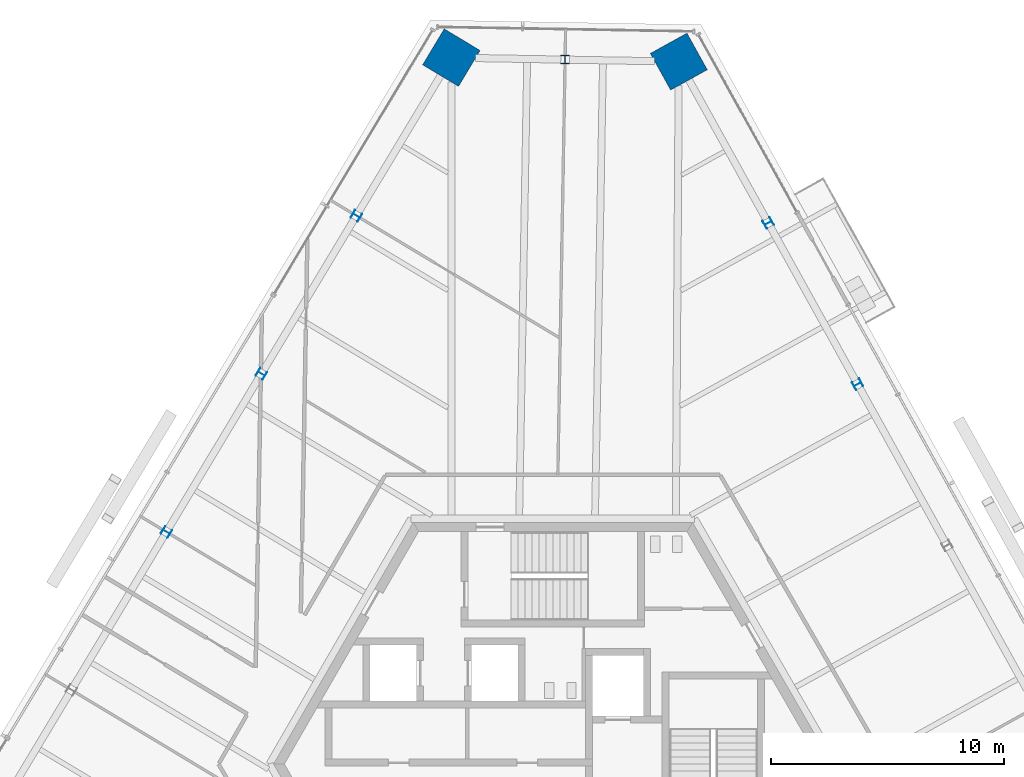
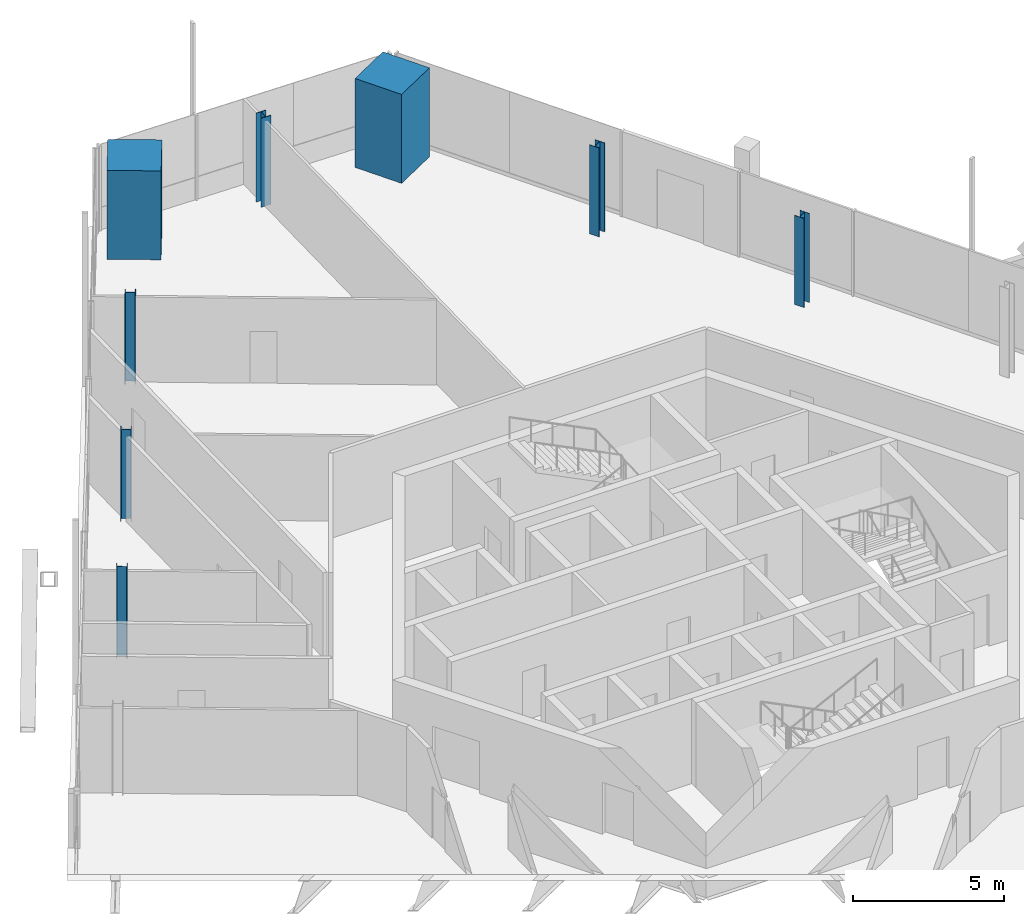
# One storey, part 3 of 20: 8 columns.
"""IFC4 building model written with IfcOpenShell, lengths in metres."""

from ifc_helpers import new_model, si_unit, direction, frame, origin, origin_2d, place, context, subcontext, project, spatial, rectangle, i_section, extrude, source, transform, mapped, material, material_profile, profile_set, type_object, element, save


model = new_model("IFC4")

# Units and contexts
model_context = context("Model", 3, precision=1e-05, world=origin(), true_north=direction((0.0, 1.0)))
body_context = subcontext(model_context, "Body", "Model", "MODEL_VIEW")
ifc_project = project(units=[si_unit("LENGTHUNIT", "METRE"), si_unit("AREAUNIT", "SQUARE_METRE"), si_unit("VOLUMEUNIT", "CUBIC_METRE"), si_unit("PLANEANGLEUNIT", "RADIAN"), si_unit("MASSUNIT", "GRAM", prefix="KILO")], contexts=[model_context])

# Site, building, storey
site_placement = place(None, origin())
site = spatial("IfcSite", under=ifc_project, at=site_placement, CompositionType="ELEMENT")
building_placement = place(site_placement, origin())
building = spatial("IfcBuilding", under=site, at=building_placement, Name="Triune Harvest Tower", CompositionType="ELEMENT")
storey_placement = place(building_placement, frame((0.0, 0.0, 194.300048828125)))
storey = spatial("IfcBuildingStorey", under=building, at=storey_placement, Name="L50", CompositionType="ELEMENT", Elevation=194.300048828125)

# Columns
ifc_material_1 = material(Name="Concrete 70 MPa", Category="concrete")
ifc_material_profile_1 = material_profile(ifc_material_1, rectangle(XDim=1.800048828125, YDim=1.800048828125, at=origin_2d()), Name="Composite 1800x1800")
ifc_profile_set_1 = profile_set([ifc_material_profile_1], Name="Concrete 70 MPa")
column_type_1 = type_object("IfcColumnType", Name="MC-5 Mega column Composite 1800x1800", PredefinedType="COLUMN", material=ifc_profile_set_1)
shared_shape_1 = source(origin(), body_context, "Body", "SweptSolid", [
    extrude(rectangle(XDim=1.800048828125, YDim=1.800048828125, at=origin_2d()), origin(), (0.0, 0.0, 1.0), 3.599853515625),
])
for number, where, z_axis, x_axis, name in (
    (1, (5.416015625, 30.193115234375, 0.0), (0.0, 0.0, 1.0), (-0.484809620246, 0.874619707139, 0.0), "col/L50/M6"),
    (2, (-4.359130859375, 30.36376953125, 0.0), (0.0, 0.0, 1.0), (-0.51503657887, -0.857168199612, 0.0), "col/L50/M8"),
):
    element("IfcColumn", number, at=place(storey_placement, frame(where, z_axis=z_axis, x_axis=x_axis)), inside=storey, type_object=column_type_1, Name=name, PredefinedType="COLUMN", context=body_context, shape_type="MappedRepresentation", body=[
        mapped(shared_shape_1, transform((0.0, 0.0, 0.0), scale=1.0)),
    ])
ifc_material_2 = material(Name="Steel ASTM A992 Gr 50", Category="steel")
ifc_material_profile_2 = material_profile(ifc_material_2, i_section(OverallWidth=0.370849609375, OverallDepth=0.36328125, WebThickness=0.013427734375, FlangeThickness=0.021728515625, at=origin_2d()), Name="W14x109")
ifc_profile_set_2 = profile_set([ifc_material_profile_2], Name="Steel ASTM A992 Gr 50")
column_type_2 = type_object("IfcColumnType", Name="PC-5 Perimeter column W14x109", PredefinedType="COLUMN", material=ifc_profile_set_2)
shared_shape_2 = source(origin(), body_context, "Body", "SweptSolid", [
    extrude(i_section(OverallWidth=0.370849609375, OverallDepth=0.36328125, WebThickness=0.013427734375, FlangeThickness=0.021728515625, at=origin_2d()), origin(), (0.0, 0.0, 1.0), 3.599853515625),
])
for number, where, z_axis, x_axis, name in (
    (3, (13.1025390625, 16.326416015625, 0.0), (0.0, 0.0, 1.0), (-0.484809620246, 0.874619707139, 0.0), "col/L50/P4"),
    (4, (9.25927734375, 23.259765625, 0.0), (0.0, 0.0, 1.0), (-0.484809620246, 0.874619707139, 0.0), "col/L50/P5"),
    (5, (0.528564453125, 30.2783203125, 0.0), (0.0, 0.0, 1.0), (-0.999847725615, 0.017450661374, 0.0), "col/L50/P7"),
    (6, (-8.44189453125, 23.568603515625, 0.0), (0.0, 0.0, 1.0), (-0.51503657887, -0.857168199612, 0.0), "col/L50/P9"),
    (7, (-12.524658203125, 16.773681640625, 0.0), (0.0, 0.0, 1.0), (-0.51503657887, -0.857168199612, 0.0), "col/L50/P10"),
    (8, (-16.607421875, 9.978759765625, 0.0), (0.0, 0.0, 1.0), (-0.51503657887, -0.857168199612, 0.0), "col/L50/P11"),
):
    element("IfcColumn", number, at=place(storey_placement, frame(where, z_axis=z_axis, x_axis=x_axis)), inside=storey, type_object=column_type_2, Name=name, PredefinedType="COLUMN", context=body_context, shape_type="MappedRepresentation", body=[
        mapped(shared_shape_2, transform((0.0, 0.0, 0.0), scale=1.0)),
    ])

save(model, "model.ifc")
